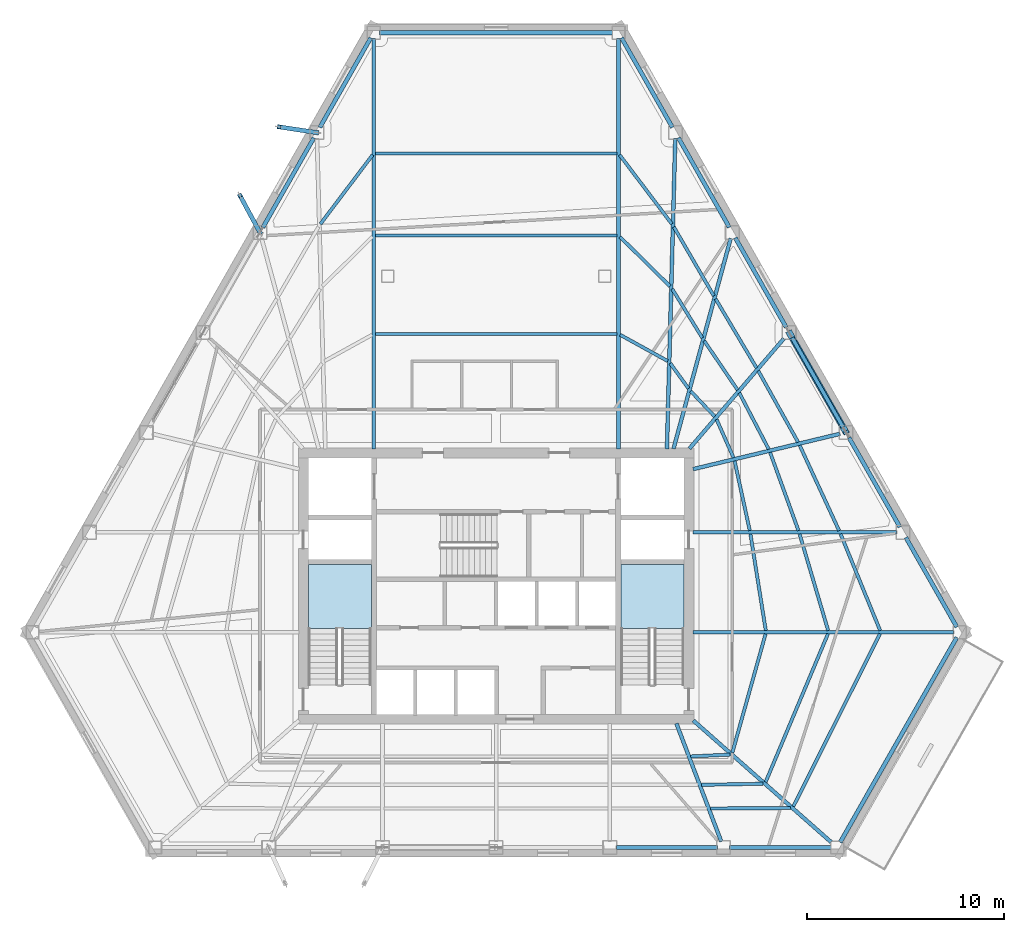
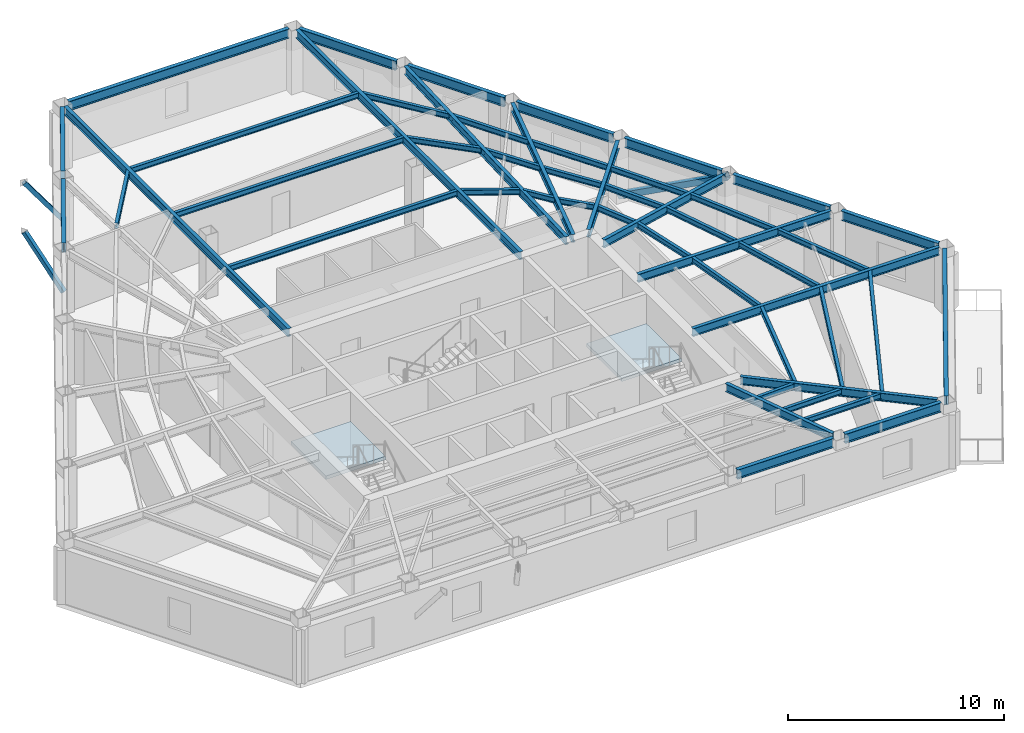
# One storey, part 3 of 12: 50 beams, 3 members, 2 slabs, 2 elements without a shape of their own.
"""IFC4 building model written with IfcOpenShell, lengths in metres."""

from ifc_helpers import new_model, si_unit, direction, frame, origin, origin_2d, place, context, subcontext, project, spatial, polyline, hollow_rectangle, i_section, outline, extrude, material, layer, layer_set, material_profile, profile_set, type_object, element, aggregate, save


model = new_model("IFC4")

# Units and contexts
model_context = context("Model", 3, precision=1e-05, world=origin(), true_north=direction((0.0, 1.0)))
body_context = subcontext(model_context, "Body", "Model", "MODEL_VIEW")
ifc_project = project(units=[si_unit("LENGTHUNIT", "METRE"), si_unit("AREAUNIT", "SQUARE_METRE"), si_unit("VOLUMEUNIT", "CUBIC_METRE"), si_unit("PLANEANGLEUNIT", "RADIAN"), si_unit("MASSUNIT", "GRAM", prefix="KILO")], contexts=[model_context])

# Site, building, storey
site_placement = place(None, origin())
site = spatial("IfcSite", under=ifc_project, at=site_placement, CompositionType="ELEMENT")
building_placement = place(site_placement, origin())
building = spatial("IfcBuilding", under=site, at=building_placement, Name="Kavelnor Concourse Tower", CompositionType="ELEMENT")
storey_placement = place(building_placement, frame((0.0, 0.0, 93.199951171875)))
storey = spatial("IfcBuildingStorey", under=building, at=storey_placement, Name="L23", CompositionType="ELEMENT", Elevation=93.199951171875)

# Beams
ifc_material_1 = material(Name="Steel Grade 350", Category="steel")
ifc_material_profile_1 = material_profile(ifc_material_1, i_section(OverallWidth=0.166015625, OverallDepth=0.306884765625, WebThickness=0.006591796875, FlangeThickness=0.01171875, at=origin_2d()), Name="310UB46")
ifc_profile_set_1 = profile_set([ifc_material_profile_1], Name="Steel Grade 350")
beam_type_1 = type_object("IfcBeamType", Name="BM-JOIST-310", PredefinedType="JOIST", material=ifc_profile_set_1)
beam_1_placement = place(storey_placement, frame((47.86279296875, 7.4658203125, 3.446533203125), z_axis=(0.998892069474, 0.047059893141, 0.0), x_axis=(-0.047059893141, 0.998892069474, 0.0)))
element("IfcBeam", 1, at=beam_1_placement, inside=storey, type_object=beam_type_1, Name="L23 Secondary Composite Joist 07-1", PredefinedType="JOIST", context=body_context, shape_type="SweptSolid", body=[
    extrude(i_section(OverallWidth=0.166015625, OverallDepth=0.306884765625, WebThickness=0.006591796875, FlangeThickness=0.01171875, at=origin_2d()), origin(), (0.0, 0.0, 1.0), 1.997314453125),
])
beam_2_placement = place(storey_placement, frame((48.40869140625, 6.026611328125, 3.446533203125), z_axis=(0.999841518971, 0.017802722868, 0.0), x_axis=(-0.017802722868, 0.999841518971, 0.0)))
element("IfcBeam", 2, at=beam_2_placement, inside=storey, type_object=beam_type_1, Name="L23 Secondary Composite Joist 07-2", PredefinedType="JOIST", context=body_context, shape_type="SweptSolid", body=[
    extrude(i_section(OverallWidth=0.166015625, OverallDepth=0.306884765625, WebThickness=0.006591796875, FlangeThickness=0.01171875, at=origin_2d()), origin(), (0.0, 0.0, 1.0), 3.126708984375),
])
beam_3_placement = place(storey_placement, frame((48.86328125, 4.82861328125, 3.446533203125), z_axis=(0.999986378258, 0.005219511334, 0.0), x_axis=(-0.005219511334, 0.999986378258, 0.0)))
element("IfcBeam", 3, at=beam_3_placement, inside=storey, type_object=beam_type_1, Name="L23 Secondary Composite Joist 07-3", PredefinedType="JOIST", context=body_context, shape_type="SweptSolid", body=[
    extrude(i_section(OverallWidth=0.166015625, OverallDepth=0.306884765625, WebThickness=0.006591796875, FlangeThickness=0.01171875, at=origin_2d()), origin(), (0.0, 0.0, 1.0), 4.0693359375),
])
beam_4_placement = place(storey_placement, frame((49.970703125, 7.649658203125, 3.446533203125), z_axis=(0.269478015245, 0.96300654167, 0.0), x_axis=(-0.96300654167, 0.269478015245, 0.0)))
element("IfcBeam", 4, at=beam_4_placement, inside=storey, type_object=beam_type_1, Name="L23 Secondary Composite Joist 08-1", PredefinedType="JOIST", context=body_context, shape_type="SweptSolid", body=[
    extrude(i_section(OverallWidth=0.166015625, OverallDepth=0.306884765625, WebThickness=0.006591796875, FlangeThickness=0.01171875, at=origin_2d()), origin(), (0.0, 0.0, 1.0), 6.25927734375),
])
beam_5_placement = place(storey_placement, frame((51.658447265625, 6.165771484375, 3.446533203125), z_axis=(0.387719624381, 0.921777355368, 0.0), x_axis=(-0.921777355368, 0.387719624381, 0.0)))
element("IfcBeam", 5, at=beam_5_placement, inside=storey, type_object=beam_type_1, Name="L23 Secondary Composite Joist 08-2", PredefinedType="JOIST", context=body_context, shape_type="SweptSolid", body=[
    extrude(i_section(OverallWidth=0.166015625, OverallDepth=0.306884765625, WebThickness=0.006591796875, FlangeThickness=0.01171875, at=origin_2d()), origin(), (0.0, 0.0, 1.0), 8.153076171875),
])
beam_6_placement = place(storey_placement, frame((53.0615234375, 4.9296875, 3.446533203125), z_axis=(0.448827839238, 0.893618246638, 0.0), x_axis=(-0.893618246638, 0.448827839238, 0.0)))
element("IfcBeam", 6, at=beam_6_placement, inside=storey, type_object=beam_type_1, Name="L23 Secondary Composite Joist 08-3", PredefinedType="JOIST", context=body_context, shape_type="SweptSolid", body=[
    extrude(i_section(OverallWidth=0.166015625, OverallDepth=0.306884765625, WebThickness=0.006591796875, FlangeThickness=0.01171875, at=origin_2d()), origin(), (0.0, 0.0, 1.0), 9.796142578125),
])
beam_7_placement = place(storey_placement, frame((51.66748046875, 13.85107421875, 3.446533203125), z_axis=(-0.15738070118, 0.987538006811, 0.0), x_axis=(-0.987538006811, -0.15738070118, 0.0)))
element("IfcBeam", 7, at=beam_7_placement, inside=storey, type_object=beam_type_1, Name="L23 Secondary Composite Joist 09-1", PredefinedType="JOIST", context=body_context, shape_type="SweptSolid", body=[
    extrude(i_section(OverallWidth=0.166015625, OverallDepth=0.306884765625, WebThickness=0.006591796875, FlangeThickness=0.01171875, at=origin_2d()), origin(), (0.0, 0.0, 1.0), 4.9501953125),
])
beam_8_placement = place(storey_placement, frame((54.8291015625, 13.848388671875, 3.446533203125), z_axis=(-0.283813062923, 0.958879630253, 0.0), x_axis=(-0.958879630253, -0.283813062923, 0.0)))
element("IfcBeam", 8, at=beam_8_placement, inside=storey, type_object=beam_type_1, Name="L23 Secondary Composite Joist 09-2", PredefinedType="JOIST", context=body_context, shape_type="SweptSolid", body=[
    extrude(i_section(OverallWidth=0.166015625, OverallDepth=0.306884765625, WebThickness=0.006591796875, FlangeThickness=0.01171875, at=origin_2d()), origin(), (0.0, 0.0, 1.0), 5.103759765625),
])
beam_9_placement = place(storey_placement, frame((57.46435546875, 13.845458984375, 3.446533203125), z_axis=(-0.379183940808, 0.925321316643, 0.0), x_axis=(-0.925321316643, -0.379183940808, 0.0)))
element("IfcBeam", 9, at=beam_9_placement, inside=storey, type_object=beam_type_1, Name="L23 Secondary Composite Joist 09-3", PredefinedType="JOIST", context=body_context, shape_type="SweptSolid", body=[
    extrude(i_section(OverallWidth=0.166015625, OverallDepth=0.306884765625, WebThickness=0.006591796875, FlangeThickness=0.01171875, at=origin_2d()), origin(), (0.0, 0.0, 1.0), 5.295166015625),
])
beam_10_placement = place(storey_placement, frame((50.85546875, 18.91455078125, 3.446533203125), z_axis=(-0.21287600469, 0.977079222288, 0.0), x_axis=(-0.977079222288, -0.21287600469, 0.0)))
element("IfcBeam", 10, at=beam_10_placement, inside=storey, type_object=beam_type_1, Name="L23 Secondary Composite Joist 10-1", PredefinedType="JOIST", context=body_context, shape_type="SweptSolid", body=[
    extrude(i_section(OverallWidth=0.166015625, OverallDepth=0.306884765625, WebThickness=0.006591796875, FlangeThickness=0.01171875, at=origin_2d()), origin(), (0.0, 0.0, 1.0), 3.6103515625),
])
beam_11_placement = place(storey_placement, frame((53.324951171875, 18.9111328125, 3.446533203125), z_axis=(-0.340989921469, 0.940066951582, 0.0), x_axis=(-0.940066951582, -0.340989921469, 0.0)))
element("IfcBeam", 11, at=beam_11_placement, inside=storey, type_object=beam_type_1, Name="L23 Secondary Composite Joist 10-2", PredefinedType="JOIST", context=body_context, shape_type="SweptSolid", body=[
    extrude(i_section(OverallWidth=0.166015625, OverallDepth=0.306884765625, WebThickness=0.006591796875, FlangeThickness=0.01171875, at=origin_2d()), origin(), (0.0, 0.0, 1.0), 4.217041015625),
])
beam_12_placement = place(storey_placement, frame((55.385498046875, 18.908203125, 3.446533203125), z_axis=(-0.419603527999, 0.907707485532, 0.0), x_axis=(-0.907707485532, -0.419603527999, 0.0)))
element("IfcBeam", 12, at=beam_12_placement, inside=storey, type_object=beam_type_1, Name="L23 Secondary Composite Joist 10-3", PredefinedType="JOIST", context=body_context, shape_type="SweptSolid", body=[
    extrude(i_section(OverallWidth=0.166015625, OverallDepth=0.306884765625, WebThickness=0.006591796875, FlangeThickness=0.01171875, at=origin_2d()), origin(), (0.0, 0.0, 1.0), 4.768798828125),
])
beam_13_placement = place(storey_placement, frame((50.03173828125, 22.610595703125, 3.446533203125), z_axis=(-0.404674515536, 0.914460790015, 0.0), x_axis=(-0.914460790015, -0.404674515536, 0.0)))
element("IfcBeam", 13, at=beam_13_placement, inside=storey, type_object=beam_type_1, Name="L23 Secondary Composite Joist 11-1", PredefinedType="JOIST", context=body_context, shape_type="SweptSolid", body=[
    extrude(i_section(OverallWidth=0.166015625, OverallDepth=0.306884765625, WebThickness=0.006591796875, FlangeThickness=0.01171875, at=origin_2d()), origin(), (0.0, 0.0, 1.0), 2.12060546875),
])
beam_14_placement = place(storey_placement, frame((51.8154296875, 23.0380859375, 3.446533203125), z_axis=(-0.462236598568, 0.886756633437, 0.0), x_axis=(-0.886756633437, -0.462236598568, 0.0)))
element("IfcBeam", 14, at=beam_14_placement, inside=storey, type_object=beam_type_1, Name="L23 Secondary Composite Joist 11-2", PredefinedType="JOIST", context=body_context, shape_type="SweptSolid", body=[
    extrude(i_section(OverallWidth=0.166015625, OverallDepth=0.306884765625, WebThickness=0.006591796875, FlangeThickness=0.01171875, at=origin_2d()), origin(), (0.0, 0.0, 1.0), 3.217041015625),
])
beam_15_placement = place(storey_placement, frame((53.3037109375, 23.3955078125, 3.446533203125), z_axis=(-0.487225895052, 0.873275974243, 0.0), x_axis=(-0.873275974243, -0.487225895052, 0.0)))
element("IfcBeam", 15, at=beam_15_placement, inside=storey, type_object=beam_type_1, Name="L23 Secondary Composite Joist 11-3", PredefinedType="JOIST", context=body_context, shape_type="SweptSolid", body=[
    extrude(i_section(OverallWidth=0.166015625, OverallDepth=0.306884765625, WebThickness=0.006591796875, FlangeThickness=0.01171875, at=origin_2d()), origin(), (0.0, 0.0, 1.0), 4.135986328125),
])
beam_16_placement = place(storey_placement, frame((49.076416015625, 24.69580078125, 3.446533203125), z_axis=(-0.686582975318, 0.727051454853, 0.0), x_axis=(-0.727051454853, -0.686582975318, 0.0)))
element("IfcBeam", 16, at=beam_16_placement, inside=storey, type_object=beam_type_1, Name="L23 Secondary Composite Joist 12-1", PredefinedType="JOIST", context=body_context, shape_type="SweptSolid", body=[
    extrude(i_section(OverallWidth=0.166015625, OverallDepth=0.306884765625, WebThickness=0.006591796875, FlangeThickness=0.01171875, at=origin_2d()), origin(), (0.0, 0.0, 1.0), 1.767578125),
])
beam_17_placement = place(storey_placement, frame((50.2373046875, 26.043212890625, 3.446533203125), z_axis=(-0.56215453909, 0.827032208672, 0.0), x_axis=(-0.827032208672, -0.56215453909, 0.0)))
element("IfcBeam", 17, at=beam_17_placement, inside=storey, type_object=beam_type_1, Name="L23 Secondary Composite Joist 12-2", PredefinedType="JOIST", context=body_context, shape_type="SweptSolid", body=[
    extrude(i_section(OverallWidth=0.166015625, OverallDepth=0.306884765625, WebThickness=0.006591796875, FlangeThickness=0.01171875, at=origin_2d()), origin(), (0.0, 0.0, 1.0), 3.006591796875),
])
beam_18_placement = place(storey_placement, frame((51.19970703125, 27.16162109375, 3.446533203125), z_axis=(-0.510721796916, 0.859746035847, 0.0), x_axis=(-0.859746035847, -0.510721796916, 0.0)))
element("IfcBeam", 18, at=beam_18_placement, inside=storey, type_object=beam_type_1, Name="L23 Secondary Composite Joist 12-3", PredefinedType="JOIST", context=body_context, shape_type="SweptSolid", body=[
    extrude(i_section(OverallWidth=0.166015625, OverallDepth=0.306884765625, WebThickness=0.006591796875, FlangeThickness=0.01171875, at=origin_2d()), origin(), (0.0, 0.0, 1.0), 4.067626953125),
])
beam_19_placement = place(storey_placement, frame((47.74951171875, 26.11767578125, 3.446533203125), z_axis=(-0.586573045375, 0.809896328205, 0.0), x_axis=(-0.809896328205, -0.586573045375, 0.0)))
element("IfcBeam", 19, at=beam_19_placement, inside=storey, type_object=beam_type_1, Name="L23 Secondary Composite Joist 13-1", PredefinedType="JOIST", context=body_context, shape_type="SweptSolid", body=[
    extrude(i_section(OverallWidth=0.166015625, OverallDepth=0.306884765625, WebThickness=0.006591796875, FlangeThickness=0.01171875, at=origin_2d()), origin(), (0.0, 0.0, 1.0), 1.572021484375),
])
beam_20_placement = place(storey_placement, frame((48.450439453125, 28.67919921875, 3.446533203125), z_axis=(-0.523999267711, 0.8517187138, 0.0), x_axis=(-0.8517187138, -0.523999267711, 0.0)))
element("IfcBeam", 20, at=beam_20_placement, inside=storey, type_object=beam_type_1, Name="L23 Secondary Composite Joist 13-2", PredefinedType="JOIST", context=body_context, shape_type="SweptSolid", body=[
    extrude(i_section(OverallWidth=0.166015625, OverallDepth=0.306884765625, WebThickness=0.006591796875, FlangeThickness=0.01171875, at=origin_2d()), origin(), (0.0, 0.0, 1.0), 2.914306640625),
])
beam_21_placement = place(storey_placement, frame((49.031982421875, 30.81201171875, 3.446533203125), z_axis=(-0.501734375672, 0.865021743235, 0.0), x_axis=(-0.865021743235, -0.501734375672, 0.0)))
element("IfcBeam", 21, at=beam_21_placement, inside=storey, type_object=beam_type_1, Name="L23 Secondary Composite Joist 13-3", PredefinedType="JOIST", context=body_context, shape_type="SweptSolid", body=[
    extrude(i_section(OverallWidth=0.166015625, OverallDepth=0.306884765625, WebThickness=0.006591796875, FlangeThickness=0.01171875, at=origin_2d()), origin(), (0.0, 0.0, 1.0), 4.038330078125),
])
beam_22_placement = place(storey_placement, frame((46.697021484375, 27.506103515625, 3.446533203125), z_axis=(-0.875536350101, 0.483152253075, 0.0), x_axis=(-0.483152253075, -0.875536350101, 0.0)))
element("IfcBeam", 22, at=beam_22_placement, inside=storey, type_object=beam_type_1, Name="L23 Secondary Composite Joist 14-1", PredefinedType="JOIST", context=body_context, shape_type="SweptSolid", body=[
    extrude(i_section(OverallWidth=0.166015625, OverallDepth=0.306884765625, WebThickness=0.006591796875, FlangeThickness=0.01171875, at=origin_2d()), origin(), (0.0, 0.0, 1.0), 2.757080078125),
])
beam_23_placement = place(storey_placement, frame((46.813232421875, 31.299560546875, 3.446533203125), z_axis=(-0.712111030916, 0.702066862662, 0.0), x_axis=(-0.702066862662, -0.712111030916, 0.0)))
element("IfcBeam", 23, at=beam_23_placement, inside=storey, type_object=beam_type_1, Name="L23 Secondary Composite Joist 14-2", PredefinedType="JOIST", context=body_context, shape_type="SweptSolid", body=[
    extrude(i_section(OverallWidth=0.166015625, OverallDepth=0.306884765625, WebThickness=0.006591796875, FlangeThickness=0.01171875, at=origin_2d()), origin(), (0.0, 0.0, 1.0), 3.572998046875),
])
beam_24_placement = place(storey_placement, frame((46.90771484375, 34.453125, 3.446533203125), z_axis=(-0.602965954405, 0.797766919488, 0.0), x_axis=(-0.797766919488, -0.602965954405, 0.0)))
element("IfcBeam", 24, at=beam_24_placement, inside=storey, type_object=beam_type_1, Name="L23 Secondary Composite Joist 14-3", PredefinedType="JOIST", context=body_context, shape_type="SweptSolid", body=[
    extrude(i_section(OverallWidth=0.166015625, OverallDepth=0.306884765625, WebThickness=0.006591796875, FlangeThickness=0.01171875, at=origin_2d()), origin(), (0.0, 0.0, 1.0), 4.392822265625),
])
for number, where, z_axis, x_axis, name in (
    (25, (44.116455078125, 28.881103515625, 3.446533203125), (-1.0, 0.0, 0.0), (0.0, -1.0, 0.0), "L23 Secondary Composite Joist 15-1"),
    (26, (44.116455078125, 33.87060546875, 3.446533203125), (-1.0, 0.0, 0.0), (0.0, -1.0, 0.0), "L23 Secondary Composite Joist 15-2"),
    (27, (44.116455078125, 38.0283203125, 3.446533203125), (-1.0, 0.0, 0.0), (0.0, -1.0, 0.0), "L23 Secondary Composite Joist 15-3"),
):
    element("IfcBeam", number, at=place(storey_placement, frame(where, z_axis=z_axis, x_axis=x_axis)), inside=storey, type_object=beam_type_1, Name=name, PredefinedType="JOIST", context=body_context, shape_type="SweptSolid", body=[
        extrude(i_section(OverallWidth=0.166015625, OverallDepth=0.306884765625, WebThickness=0.006591796875, FlangeThickness=0.01171875, at=origin_2d()), origin(), (0.0, 0.0, 1.0), 12.23291015625),
    ])
beam_25_placement = place(storey_placement, frame((31.740966796875, 37.95751953125, 3.446533203125), z_axis=(-0.602965954405, -0.797766919488, 0.0), x_axis=(0.797766919488, -0.602965954405, 0.0)))
element("IfcBeam", 28, at=beam_25_placement, inside=storey, type_object=beam_type_1, Name="L23 Secondary Composite Joist 16-3", PredefinedType="JOIST", context=body_context, shape_type="SweptSolid", body=[
    extrude(i_section(OverallWidth=0.166015625, OverallDepth=0.306884765625, WebThickness=0.006591796875, FlangeThickness=0.01171875, at=origin_2d()), origin(), (0.0, 0.0, 1.0), 4.392822265625),
])
ifc_material_profile_2 = material_profile(ifc_material_1, i_section(OverallWidth=0.18994140625, OverallDepth=0.4541015625, WebThickness=0.008544921875, FlangeThickness=0.0126953125, at=origin_2d()), Name="460UB67")
ifc_profile_set_2 = profile_set([ifc_material_profile_2], Name="Steel Grade 350")
beam_type_2 = type_object("IfcBeamType", Name="BM-PRIMARY-460", PredefinedType="BEAM", material=ifc_profile_set_2)
beam_26_placement = place(storey_placement, frame((31.794677734375, 23.06005859375, 3.373046875), z_axis=(0.0, 1.0, 0.0), x_axis=(-1.0, 0.0, 0.0)))
element("IfcBeam", 29, at=beam_26_placement, inside=storey, type_object=beam_type_2, Name="L23 Primary Floor Girder F0-B0", PredefinedType="BEAM", context=body_context, shape_type="SweptSolid", body=[
    extrude(i_section(OverallWidth=0.18994140625, OverallDepth=0.4541015625, WebThickness=0.008544921875, FlangeThickness=0.0126953125, at=origin_2d()), origin(), (0.0, 0.0, 1.0), 20.78955078125),
])
beam_27_placement = place(storey_placement, frame((47.137451171875, 9.137451171875, 3.373046875), z_axis=(0.355061142992, -0.934843080275, 0.0), x_axis=(0.934843080275, 0.355061142992, 0.0)))
element("IfcBeam", 30, at=beam_27_placement, inside=storey, type_object=beam_type_2, Name="L23 Primary Floor Girder F1-B5", PredefinedType="BEAM", context=body_context, shape_type="SweptSolid", body=[
    extrude(i_section(OverallWidth=0.18994140625, OverallDepth=0.4541015625, WebThickness=0.008544921875, FlangeThickness=0.0126953125, at=origin_2d()), origin(), (0.0, 0.0, 1.0), 6.40234375),
])
beam_28_placement = place(storey_placement, frame((47.989990234375, 9.291015625, 3.373046875), z_axis=(0.74976447058, -0.661704797214, 0.0), x_axis=(0.661704797214, 0.74976447058, 0.0)))
element("IfcBeam", 31, at=beam_28_placement, inside=storey, type_object=beam_type_2, Name="L23 Primary Floor Girder F1-B6", PredefinedType="BEAM", context=body_context, shape_type="SweptSolid", body=[
    extrude(i_section(OverallWidth=0.18994140625, OverallDepth=0.4541015625, WebThickness=0.008544921875, FlangeThickness=0.0126953125, at=origin_2d()), origin(), (0.0, 0.0, 1.0), 9.321044921875),
])
beam_29_placement = place(storey_placement, frame((47.97998046875, 13.76318359375, 3.373046875), z_axis=(1.0, 0.0, 0.0), x_axis=(0.0, 1.0, 0.0)))
element("IfcBeam", 32, at=beam_29_placement, inside=storey, type_object=beam_type_2, Name="L23 Primary Floor Girder F2-B0", PredefinedType="BEAM", context=body_context, shape_type="SweptSolid", body=[
    extrude(i_section(OverallWidth=0.18994140625, OverallDepth=0.4541015625, WebThickness=0.008544921875, FlangeThickness=0.0126953125, at=origin_2d()), origin(), (0.0, 0.0, 1.0), 13.2197265625),
])
beam_30_placement = place(storey_placement, frame((47.97998046875, 18.827392578125, 3.373046875), z_axis=(1.0, 0.0, 0.0), x_axis=(0.0, 1.0, 0.0)))
element("IfcBeam", 33, at=beam_30_placement, inside=storey, type_object=beam_type_2, Name="L23 Primary Floor Girder F2-B1", PredefinedType="BEAM", context=body_context, shape_type="SweptSolid", body=[
    extrude(i_section(OverallWidth=0.18994140625, OverallDepth=0.4541015625, WebThickness=0.008544921875, FlangeThickness=0.0126953125, at=origin_2d()), origin(), (0.0, 0.0, 1.0), 10.33740234375),
])
beam_31_placement = place(storey_placement, frame((47.981201171875, 22.02734375, 3.373046875), z_axis=(0.972280516734, 0.233817443273, 0.0), x_axis=(-0.233817443273, 0.972280516734, 0.0)))
element("IfcBeam", 34, at=beam_31_placement, inside=storey, type_object=beam_type_2, Name="L23 Primary Floor Girder F2-B2", PredefinedType="BEAM", context=body_context, shape_type="SweptSolid", body=[
    extrude(i_section(OverallWidth=0.18994140625, OverallDepth=0.4541015625, WebThickness=0.008544921875, FlangeThickness=0.0126953125, at=origin_2d()), origin(), (0.0, 0.0, 1.0), 7.6650390625),
])
beam_32_placement = place(storey_placement, frame((47.79638671875, 23.069580078125, 3.373046875), z_axis=(0.651562269903, 0.758595154505, 0.0), x_axis=(-0.758595154505, 0.651562269903, 0.0)))
element("IfcBeam", 35, at=beam_32_placement, inside=storey, type_object=beam_type_2, Name="L23 Primary Floor Girder F2-B3", PredefinedType="BEAM", context=body_context, shape_type="SweptSolid", body=[
    extrude(i_section(OverallWidth=0.18994140625, OverallDepth=0.4541015625, WebThickness=0.008544921875, FlangeThickness=0.0126953125, at=origin_2d()), origin(), (0.0, 0.0, 1.0), 7.3515625),
])
beam_33_placement = place(storey_placement, frame((46.990234375, 23.061279296875, 3.373046875), z_axis=(0.262378533538, 0.964965027935, 0.0), x_axis=(-0.964965027935, 0.262378533538, 0.0)))
element("IfcBeam", 36, at=beam_33_placement, inside=storey, type_object=beam_type_2, Name="L23 Primary Floor Girder F2-B4", PredefinedType="BEAM", context=body_context, shape_type="SweptSolid", body=[
    extrude(i_section(OverallWidth=0.18994140625, OverallDepth=0.4541015625, WebThickness=0.008544921875, FlangeThickness=0.0126953125, at=origin_2d()), origin(), (0.0, 0.0, 1.0), 11.044921875),
])
beam_34_placement = place(storey_placement, frame((46.656494140625, 23.06005859375, 3.373046875), z_axis=(0.026896026452, 0.999638236444, 0.0), x_axis=(-0.999638236444, 0.026896026452, 0.0)))
element("IfcBeam", 37, at=beam_34_placement, inside=storey, type_object=beam_type_2, Name="L23 Primary Floor Girder F2-B5", PredefinedType="BEAM", context=body_context, shape_type="SweptSolid", body=[
    extrude(i_section(OverallWidth=0.18994140625, OverallDepth=0.4541015625, WebThickness=0.008544921875, FlangeThickness=0.0126953125, at=origin_2d()), origin(), (0.0, 0.0, 1.0), 15.730712890625),
])
beam_35_placement = place(storey_placement, frame((44.205322265625, 23.06005859375, 3.373046875), z_axis=(0.0, 1.0, 0.0), x_axis=(-1.0, 0.0, 0.0)))
element("IfcBeam", 38, at=beam_35_placement, inside=storey, type_object=beam_type_2, Name="L23 Primary Floor Girder F2-B6", PredefinedType="BEAM", context=body_context, shape_type="SweptSolid", body=[
    extrude(i_section(OverallWidth=0.18994140625, OverallDepth=0.4541015625, WebThickness=0.008544921875, FlangeThickness=0.0126953125, at=origin_2d()), origin(), (0.0, 0.0, 1.0), 20.78955078125),
])
ifc_material_profile_3 = material_profile(ifc_material_1, i_section(OverallWidth=0.208984375, OverallDepth=0.532958984375, WebThickness=0.01025390625, FlangeThickness=0.015625, at=origin_2d()), Name="530UB92")
ifc_profile_set_3 = profile_set([ifc_material_profile_3], Name="Steel Grade 350")
beam_type_3 = type_object("IfcBeamType", Name="BM-SPANDREL-Z2", PredefinedType="SPANDREL", material=ifc_profile_set_3)
beam_36_placement = place(storey_placement, frame((31.643798828125, 43.884521484375, 3.33349609375), z_axis=(-0.494651625032, -0.869091347244, 0.0), x_axis=(0.869091347244, -0.494651625032, 0.0)))
element("IfcBeam", 39, at=beam_36_placement, inside=storey, type_object=beam_type_3, Name="L23 Perimeter Tube Spandrel Beam F0-B0", PredefinedType="SPANDREL", context=body_context, shape_type="SweptSolid", body=[
    extrude(i_section(OverallWidth=0.208984375, OverallDepth=0.532958984375, WebThickness=0.01025390625, FlangeThickness=0.015625, at=origin_2d()), origin(), (0.0, 0.0, 1.0), 5.217529296875),
])
beam_37_placement = place(storey_placement, frame((28.76123046875, 38.820068359375, 3.33349609375), z_axis=(-0.49463639641, -0.869100014582, 0.0), x_axis=(0.869100014582, -0.49463639641, 0.0)))
element("IfcBeam", 40, at=beam_37_placement, inside=storey, type_object=beam_type_3, Name="L23 Perimeter Tube Spandrel Beam F0-B1", PredefinedType="SPANDREL", context=body_context, shape_type="SweptSolid", body=[
    extrude(i_section(OverallWidth=0.208984375, OverallDepth=0.532958984375, WebThickness=0.01025390625, FlangeThickness=0.015625, at=origin_2d()), origin(), (0.0, 0.0, 1.0), 5.217041015625),
])
beam_38_placement = place(storey_placement, frame((43.900390625, 44.1494140625, 3.33349609375), z_axis=(-1.0, 0.0, 0.0), x_axis=(0.0, -1.0, 0.0)))
element("IfcBeam", 41, at=beam_38_placement, inside=storey, type_object=beam_type_3, Name="L23 Chamfer Facet Spandrel Beam C0", PredefinedType="SPANDREL", context=body_context, shape_type="SweptSolid", body=[
    extrude(i_section(OverallWidth=0.208984375, OverallDepth=0.532958984375, WebThickness=0.01025390625, FlangeThickness=0.015625, at=origin_2d()), origin(), (0.0, 0.0, 1.0), 11.80078125),
])
for number, where, z_axis, x_axis, name in (
    (42, (44.06787109375, 2.849609375, 3.33349609375), (1.0, 0.0, 0.0), (0.0, 1.0, 0.0), "L23 Perimeter Tube Spandrel Beam F1-B4"),
    (43, (49.83056640625, 2.849609375, 3.33349609375), (1.0, 0.0, 0.0), (0.0, 1.0, 0.0), "L23 Perimeter Tube Spandrel Beam F1-B5"),
):
    element("IfcBeam", number, at=place(storey_placement, frame(where, z_axis=z_axis, x_axis=x_axis)), inside=storey, type_object=beam_type_3, Name=name, PredefinedType="SPANDREL", context=body_context, shape_type="SweptSolid", body=[
        extrude(i_section(OverallWidth=0.208984375, OverallDepth=0.532958984375, WebThickness=0.01025390625, FlangeThickness=0.015625, at=origin_2d()), origin(), (0.0, 0.0, 1.0), 5.15283203125),
    ])
for number, where, z_axis, x_axis, name in (
    (44, (61.348876953125, 14.0283203125, 3.33349609375), (-0.49463639641, 0.869100014582, 0.0), (-0.869100014582, -0.49463639641, 0.0), "L23 Perimeter Tube Spandrel Beam F2-B0"),
    (45, (58.46630859375, 19.092529296875, 3.33349609375), (-0.49463639641, 0.869100014582, 0.0), (-0.869100014582, -0.49463639641, 0.0), "L23 Perimeter Tube Spandrel Beam F2-B1"),
    (46, (55.583984375, 24.156982421875, 3.33349609375), (-0.49463639641, 0.869100014582, 0.0), (-0.869100014582, -0.49463639641, 0.0), "L23 Perimeter Tube Spandrel Beam F2-B2"),
    (47, (52.70166015625, 29.221435546875, 3.33349609375), (-0.49463639641, 0.869100014582, 0.0), (-0.869100014582, -0.49463639641, 0.0), "L23 Perimeter Tube Spandrel Beam F2-B3"),
    (48, (49.8193359375, 34.285888671875, 3.33349609375), (-0.49463639641, 0.869100014582, 0.0), (-0.869100014582, -0.49463639641, 0.0), "L23 Perimeter Tube Spandrel Beam F2-B4"),
):
    element("IfcBeam", number, at=place(storey_placement, frame(where, z_axis=z_axis, x_axis=x_axis)), inside=storey, type_object=beam_type_3, Name=name, PredefinedType="SPANDREL", context=body_context, shape_type="SweptSolid", body=[
        extrude(i_section(OverallWidth=0.208984375, OverallDepth=0.532958984375, WebThickness=0.01025390625, FlangeThickness=0.015625, at=origin_2d()), origin(), (0.0, 0.0, 1.0), 5.217041015625),
    ])
beam_39_placement = place(storey_placement, frame((46.93701171875, 39.35009765625, 3.33349609375), z_axis=(-0.494651625032, 0.869091347244, 0.0), x_axis=(-0.869091347244, -0.494651625032, 0.0)))
element("IfcBeam", 49, at=beam_39_placement, inside=storey, type_object=beam_type_3, Name="L23 Perimeter Tube Spandrel Beam F2-B5", PredefinedType="SPANDREL", context=body_context, shape_type="SweptSolid", body=[
    extrude(i_section(OverallWidth=0.208984375, OverallDepth=0.532958984375, WebThickness=0.01025390625, FlangeThickness=0.015625, at=origin_2d()), origin(), (0.0, 0.0, 1.0), 5.217529296875),
])
beam_40_placement = place(storey_placement, frame((55.439208984375, 3.11474609375, 3.33349609375), z_axis=(0.494646146825, 0.869094465194, 0.0), x_axis=(-0.869094465194, 0.494646146825, 0.0)))
element("IfcBeam", 50, at=beam_40_placement, inside=storey, type_object=beam_type_3, Name="L23 Chamfer Facet Spandrel Beam C2", PredefinedType="SPANDREL", context=body_context, shape_type="SweptSolid", body=[
    extrude(i_section(OverallWidth=0.208984375, OverallDepth=0.532958984375, WebThickness=0.01025390625, FlangeThickness=0.015625, at=origin_2d()), origin(), (0.0, 0.0, 1.0), 11.947265625),
])

# Members
ifc_material_profile_4 = material_profile(ifc_material_1, hollow_rectangle(XDim=0.219970703125, YDim=0.219970703125, WallThickness=0.013916015625, at=origin_2d()), Name="SHS 220x220x14")
ifc_profile_set_4 = profile_set([ifc_material_profile_4], Name="Steel Grade 350")
member_type_1 = type_object("IfcMemberType", Name="MBR-BALC-STRUT-220", PredefinedType="STRUT", material=ifc_profile_set_4)
member_1_placement = place(storey_placement, frame((28.912109375, 39.085205078125, 1.050048828125), z_axis=(-0.591555172333, 0.090182503424, 0.801205088702), x_axis=(-0.15070861291, -0.988578228566, 0.0)))
element("IfcMember", 51, at=member_1_placement, inside=storey, type_object=member_type_1, Name="L23 Tree Balcony Raking Knee Strut 1-A", PredefinedType="STRUT", context=body_context, shape_type="SweptSolid", body=[
    extrude(hollow_rectangle(XDim=0.219970703125, YDim=0.219970703125, WallThickness=0.013916015625, at=origin_2d()), origin(), (0.0, 0.0, 1.0), 3.251220703125),
])
member_2_placement = place(storey_placement, frame((26.02978515625, 34.020751953125, 1.050048828125), z_axis=(-0.301601845983, 0.55784022354, 0.773208000153), x_axis=(-0.879662584062, -0.475598294994, 0.0)))
element("IfcMember", 52, at=member_2_placement, inside=storey, type_object=member_type_1, Name="L23 Tree Balcony Raking Knee Strut 1-B", PredefinedType="STRUT", context=body_context, shape_type="SweptSolid", body=[
    extrude(hollow_rectangle(XDim=0.219970703125, YDim=0.219970703125, WallThickness=0.013916015625, at=origin_2d()), origin(), (0.0, 0.0, 1.0), 3.369140625),
])
ifc_material_profile_5 = material_profile(ifc_material_1, hollow_rectangle(XDim=0.320068359375, YDim=0.320068359375, WallThickness=0.01806640625, at=origin_2d()), Name="SHS 320x320x18")
ifc_profile_set_5 = profile_set([ifc_material_profile_5], Name="Steel Grade 350")
member_type_2 = type_object("IfcMemberType", Name="MBR-TUBE-DIAG-Z2", PredefinedType="BRACE", material=ifc_profile_set_5)
member_3_placement = place(storey_placement, frame((52.8525390625, 28.956298828125, 0.219970703125), z_axis=(0.436262743783, -0.766545346182, 0.471256883911), x_axis=(0.869102970474, 0.494631202729, 0.0)))
element("IfcMember", 53, at=member_3_placement, inside=storey, type_object=member_type_2, Name="L23 Framed-Tube Bracing Diagonal F2-B2", PredefinedType="BRACE", context=body_context, shape_type="SweptSolid", body=[
    extrude(hollow_rectangle(XDim=0.320068359375, YDim=0.320068359375, WallThickness=0.01806640625, at=origin_2d()), origin(), (0.0, 0.0, 1.0), 6.60693359375),
])

# Stair, slab
ifc_material_2 = material(Name="Concrete C40/50", Category="concrete")
stair_type = type_object("IfcStairType", Name="STR-CORE-1500", PredefinedType="HALF_TURN_STAIR", material=ifc_material_2)
stair_1_placement = place(storey_placement, origin())
stair_1 = element("IfcStair", 54, at=stair_1_placement, inside=storey, type_object=stair_type, Name="L23 ST1", PredefinedType="HALF_TURN_STAIR")
ifc_layer = layer(ifc_material_2, 0.199951171875, Name="Concrete C40/50")
ifc_layer_set = layer_set([ifc_layer], Name="Concrete C40/50")
slab_type = type_object("IfcSlabType", Name="SLB-LANDING-200", PredefinedType="LANDING", material=ifc_layer_set)
slab_1_placement = place(storey_placement, frame((0.0, 0.0, 1.72509765625)))
slab_1 = element("IfcSlab", 55, at=slab_1_placement, type_object=slab_type, Name="ST1 landing 1", PredefinedType="LANDING", context=body_context, shape_type="SweptSolid", body=[
    extrude(outline(polyline([(31.679931640625, 13.949951171875), (31.679931640625, 17.199951171875), (28.47998046875, 17.199951171875), (28.47998046875, 13.949951171875), (31.679931640625, 13.949951171875)])), origin(), (0.0, 0.0, 1.0), 0.199951171875),
])
aggregate(stair_1, [slab_1])

stair_2_placement = place(storey_placement, origin())
stair_2 = element("IfcStair", 56, at=stair_2_placement, inside=storey, type_object=stair_type, Name="L23 ST2", PredefinedType="HALF_TURN_STAIR")
slab_2_placement = place(storey_placement, frame((0.0, 0.0, 1.72509765625)))
slab_2 = element("IfcSlab", 57, at=slab_2_placement, type_object=slab_type, Name="ST2 landing 1", PredefinedType="LANDING", context=body_context, shape_type="SweptSolid", body=[
    extrude(outline(polyline([(47.52001953125, 13.949951171875), (47.52001953125, 17.199951171875), (44.320068359375, 17.199951171875), (44.320068359375, 13.949951171875), (47.52001953125, 13.949951171875)])), origin(), (0.0, 0.0, 1.0), 0.199951171875),
])
aggregate(stair_2, [slab_2])

save(model, "model.ifc")
